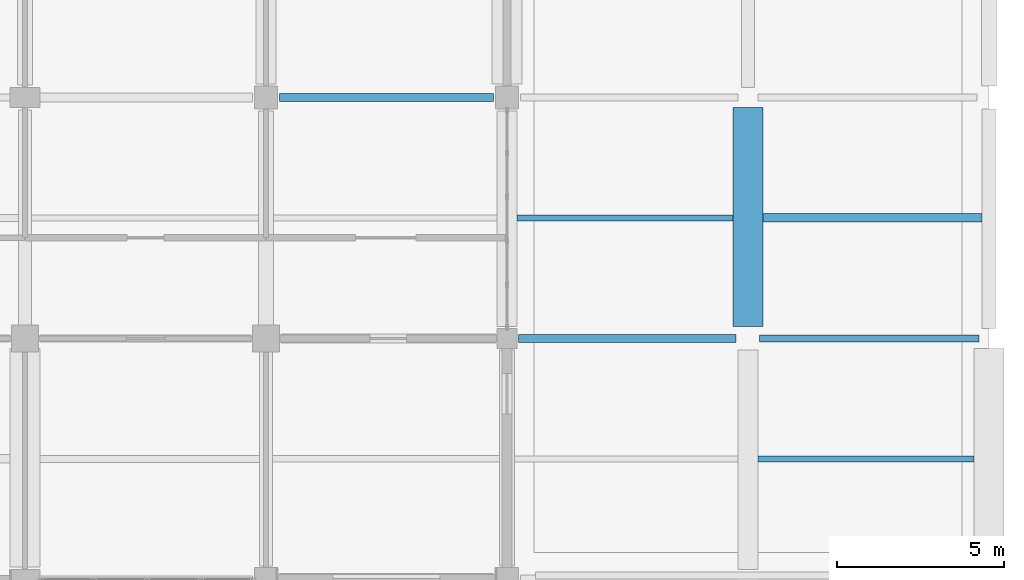
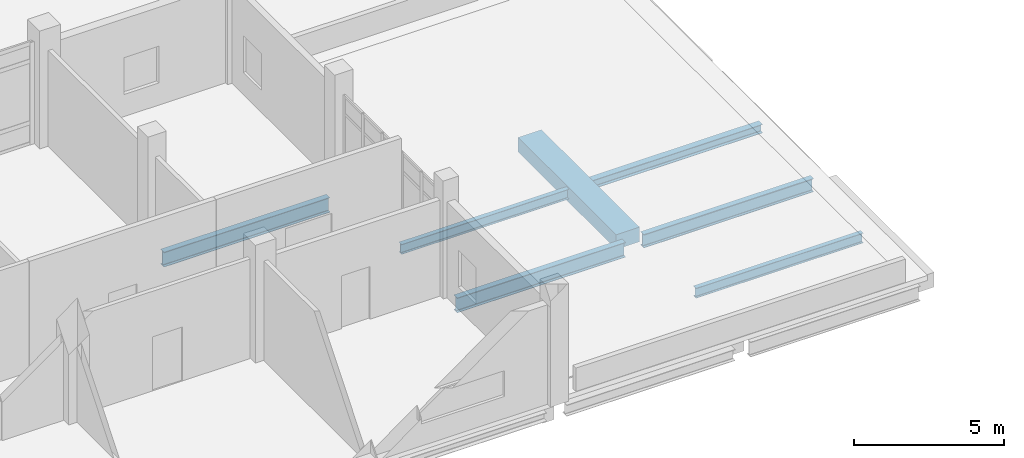
# One storey, part 113 of 186: 7 beams.
"""IFC4 building model written with IfcOpenShell, lengths in metres."""

from ifc_helpers import new_model, si_unit, direction, frame, origin, origin_2d, place, context, subcontext, project, spatial, rectangle, i_section, extrude, material, material_profile, profile_set, type_object, element, save


model = new_model("IFC4")

# Units and contexts
model_context = context("Model", 3, precision=1e-05, world=origin(), true_north=direction((0.0, 1.0)))
body_context = subcontext(model_context, "Body", "Model", "MODEL_VIEW")
ifc_project = project(units=[si_unit("LENGTHUNIT", "METRE"), si_unit("AREAUNIT", "SQUARE_METRE"), si_unit("VOLUMEUNIT", "CUBIC_METRE"), si_unit("PLANEANGLEUNIT", "RADIAN"), si_unit("MASSUNIT", "GRAM", prefix="KILO")], contexts=[model_context])

# Site, building, storey
site_placement = place(None, origin())
site = spatial("IfcSite", under=ifc_project, at=site_placement, CompositionType="ELEMENT")
building_placement = place(site_placement, origin())
building = spatial("IfcBuilding", under=site, at=building_placement, Name="Calvrana Isthmian Art Gallery", CompositionType="ELEMENT")
storey_placement = place(building_placement, frame((0.0, 0.0, 5.39990234375)))
storey = spatial("IfcBuildingStorey", under=building, at=storey_placement, Name="L01", CompositionType="ELEMENT", Elevation=5.39990234375)

# Beams
ifc_material_1 = material(Name="Steel ASTM A992 Gr 50", Category="steel")
ifc_material_profile_1 = material_profile(ifc_material_1, i_section(OverallWidth=0.214111328125, OverallDepth=0.549072265625, WebThickness=0.0146484375, FlangeThickness=0.023681640625, FilletRadius=0.02099609375, at=origin_2d()), Name="W21X93")
ifc_profile_set_1 = profile_set([ifc_material_profile_1], Name="Steel ASTM A992 Gr 50")
beam_type_1 = type_object("IfcBeamType", Name="BM-G-W21X93", PredefinedType="BEAM", material=ifc_profile_set_1)
beam_1_placement = place(storey_placement, frame((156.35009765625, 84.0, -0.519287109375), z_axis=(1.0, 0.0, 0.0), x_axis=(0.0, 1.0, 0.0)))
element("IfcBeam", 1, at=beam_1_placement, inside=storey, type_object=beam_type_1, Name="Girder X L01 21-22/L", PredefinedType="BEAM", context=body_context, shape_type="SweptSolid", body=[
    extrude(i_section(OverallWidth=0.214111328125, OverallDepth=0.549072265625, WebThickness=0.0146484375, FlangeThickness=0.023681640625, FilletRadius=0.02099609375, at=origin_2d()), origin(), (0.0, 0.0, 1.0), 6.5498046875),
])
ifc_material_profile_2 = material_profile(ifc_material_1, i_section(OverallWidth=0.22802734375, OverallDepth=0.60693359375, WebThickness=0.01123046875, FlangeThickness=0.017333984375, FilletRadius=0.02197265625, at=origin_2d()), Name="W24X76")
ifc_profile_set_2 = profile_set([ifc_material_profile_2], Name="Steel ASTM A992 Gr 50")
beam_type_2 = type_object("IfcBeamType", Name="BM-G-W24X76", PredefinedType="BEAM", material=ifc_profile_set_2)
beam_2_placement = place(storey_placement, frame((149.14990234375, 84.0, -0.6083984375), z_axis=(1.0, 0.0, 0.0), x_axis=(0.0, 1.0, 0.0)))
element("IfcBeam", 2, at=beam_2_placement, inside=storey, type_object=beam_type_2, Name="Girder X L01 20-21/L", PredefinedType="BEAM", context=body_context, shape_type="SweptSolid", body=[
    extrude(i_section(OverallWidth=0.22802734375, OverallDepth=0.60693359375, WebThickness=0.01123046875, FlangeThickness=0.017333984375, FilletRadius=0.02197265625, at=origin_2d()), origin(), (0.0, 0.0, 1.0), 6.5),
])
beam_3_placement = place(storey_placement, frame((142.0, 91.199951171875, -0.6083984375), z_axis=(1.0, 0.0, 0.0), x_axis=(0.0, 1.0, 0.0)))
element("IfcBeam", 3, at=beam_3_placement, inside=storey, type_object=beam_type_2, Name="Girder X L01 19-20/M", PredefinedType="BEAM", context=body_context, shape_type="SweptSolid", body=[
    extrude(i_section(OverallWidth=0.22802734375, OverallDepth=0.60693359375, WebThickness=0.01123046875, FlangeThickness=0.017333984375, FilletRadius=0.02197265625, at=origin_2d()), origin(), (0.0, 0.0, 1.0), 6.39990234375),
])
ifc_material_profile_3 = material_profile(ifc_material_1, i_section(OverallWidth=0.25390625, OverallDepth=0.35302734375, WebThickness=0.009521484375, FlangeThickness=0.016357421875, FilletRadius=0.01806640625, at=origin_2d()), Name="W14X61")
ifc_profile_set_3 = profile_set([ifc_material_profile_3], Name="Steel ASTM A992 Gr 50")
beam_type_3 = type_object("IfcBeamType", Name="BM-J-W14X61", PredefinedType="JOIST", material=ifc_profile_set_3)
beam_4_placement = place(storey_placement, frame((156.449951171875, 87.60009765625, -0.42138671875), z_axis=(1.0, 0.0, 0.0), x_axis=(0.0, 1.0, 0.0)))
element("IfcBeam", 4, at=beam_4_placement, inside=storey, type_object=beam_type_3, Name="Composite joist L01 bay 20-11", PredefinedType="JOIST", context=body_context, shape_type="SweptSolid", body=[
    extrude(i_section(OverallWidth=0.25390625, OverallDepth=0.35302734375, WebThickness=0.009521484375, FlangeThickness=0.016357421875, FilletRadius=0.01806640625, at=origin_2d()), origin(), (0.0, 0.0, 1.0), 6.550048828125),
])
ifc_material_profile_4 = material_profile(ifc_material_1, i_section(OverallWidth=0.177978515625, OverallDepth=0.404052734375, WebThickness=0.007568359375, FlangeThickness=0.010986328125, FilletRadius=0.01806640625, at=origin_2d()), Name="W16X36")
ifc_profile_set_4 = profile_set([ifc_material_profile_4], Name="Steel ASTM A992 Gr 50")
beam_type_4 = type_object("IfcBeamType", Name="BM-J-W16X36", PredefinedType="JOIST", material=ifc_profile_set_4)
for number, where, z_axis, x_axis, name in (
    (5, (149.10009765625, 87.60009765625, -0.5068359375), (1.0, 0.0, 0.0), (0.0, 1.0, 0.0), "Composite joist L01 bay 19-11"),
    (6, (156.300048828125, 80.39990234375, -0.447021484375), (1.0, 0.0, 0.0), (0.0, 1.0, 0.0), "Composite joist L01 bay 20-10"),
):
    element("IfcBeam", number, at=place(storey_placement, frame(where, z_axis=z_axis, x_axis=x_axis)), inside=storey, type_object=beam_type_4, Name=name, PredefinedType="JOIST", context=body_context, shape_type="SweptSolid", body=[
        extrude(i_section(OverallWidth=0.177978515625, OverallDepth=0.404052734375, WebThickness=0.007568359375, FlangeThickness=0.010986328125, FilletRadius=0.01806640625, at=origin_2d()), origin(), (0.0, 0.0, 1.0), 6.449951171875),
    ])
ifc_material_2 = material(Name="Concrete C40/50", Category="concrete")
ifc_material_profile_5 = material_profile(ifc_material_2, rectangle(XDim=0.89990234375, YDim=0.60009765625, at=origin_2d()), Name="RC900X600")
ifc_profile_set_5 = profile_set([ifc_material_profile_5], Name="Concrete C40/50")
beam_type_5 = type_object("IfcBeamType", Name="BM-RC-900X600", PredefinedType="BEAM", material=ifc_profile_set_5)
beam_5_placement = place(storey_placement, frame((156.0, 84.35009765625, -0.544921875), z_axis=(0.0, 1.0, 0.0), x_axis=(-1.0, 0.0, 0.0)))
element("IfcBeam", 7, at=beam_5_placement, inside=storey, type_object=beam_type_5, Name="Girder Y L01 21/L-M", PredefinedType="BEAM", context=body_context, shape_type="SweptSolid", body=[
    extrude(rectangle(XDim=0.89990234375, YDim=0.60009765625, at=origin_2d()), origin(), (0.0, 0.0, 1.0), 6.5498046875),
])

save(model, "model.ifc")
